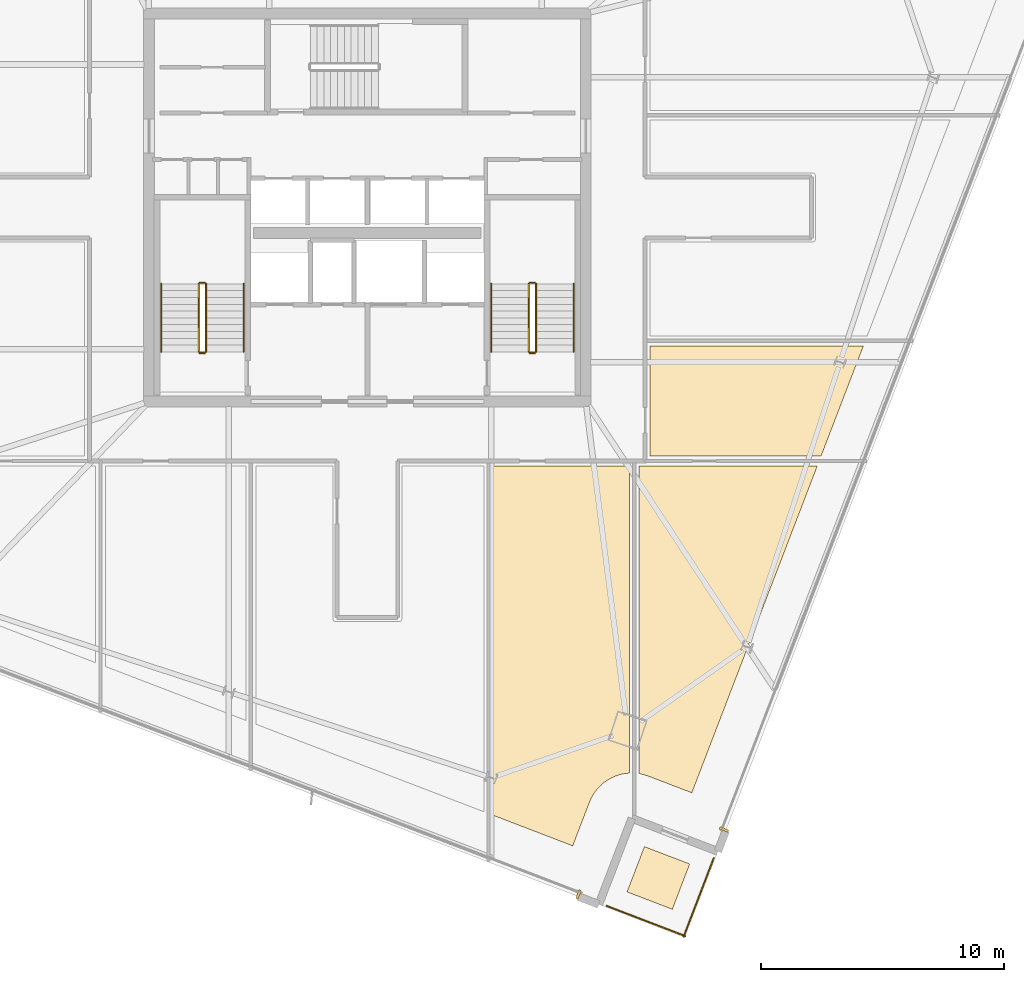
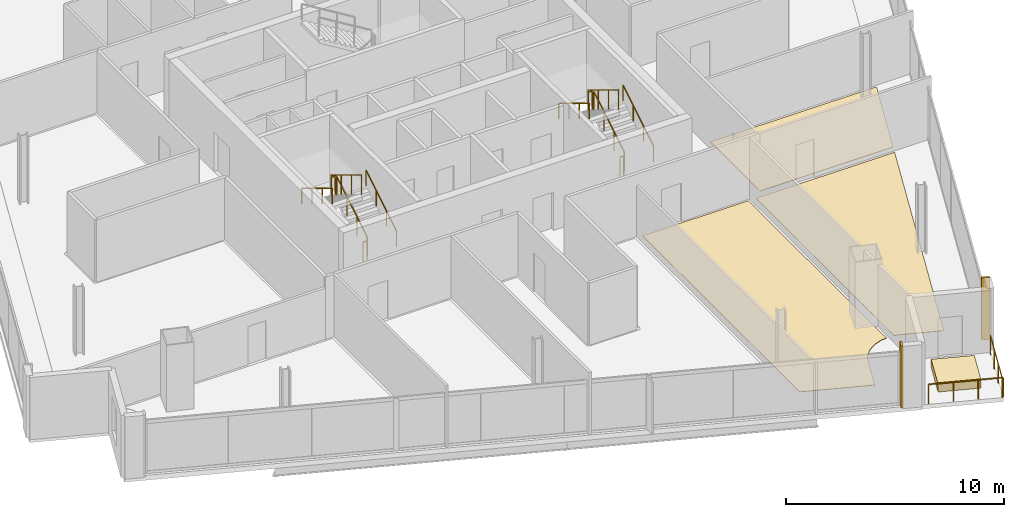
# One storey, part 24 of 27: 14 railings, 6 coverings.
"""IFC4 building model written with IfcOpenShell, lengths in metres."""

from ifc_helpers import new_model, si_unit, direction, frame, origin, origin_2d, place, context, subcontext, project, spatial, polyline, rectangle, outline, extrude, source, transform, mapped, material, layer, layer_set, type_object, element, save


model = new_model("IFC4")

# Units and contexts
model_context = context("Model", 3, precision=1e-05, world=origin(), true_north=direction((0.0, 1.0)))
body_context = subcontext(model_context, "Body", "Model", "MODEL_VIEW")
ifc_project = project(units=[si_unit("LENGTHUNIT", "METRE"), si_unit("AREAUNIT", "SQUARE_METRE"), si_unit("VOLUMEUNIT", "CUBIC_METRE"), si_unit("PLANEANGLEUNIT", "RADIAN"), si_unit("MASSUNIT", "GRAM", prefix="KILO")], contexts=[model_context])

# Site, building, storey
site_placement = place(None, origin())
site = spatial("IfcSite", under=ifc_project, at=site_placement, CompositionType="ELEMENT")
building_placement = place(site_placement, origin())
building = spatial("IfcBuilding", under=site, at=building_placement, Name="Haldenkirk Collegiate Tower", CompositionType="ELEMENT")
storey_placement = place(building_placement, frame((0.0, 0.0, 259.949951171875)))
storey = spatial("IfcBuildingStorey", under=building, at=storey_placement, Name="L65", CompositionType="ELEMENT", Elevation=259.949951171875)

# Coverings
ifc_material_1 = material(Name="Polished collegiate terrazzo", Category="concrete")
ifc_layer_1 = layer(ifc_material_1, 0.02490234375)
ifc_layer_set_1 = layer_set([ifc_layer_1], Name="Polished collegiate terrazzo")
covering_type_1 = type_object("IfcCoveringType", Name="COV-FLOOR-TERRAZZO", PredefinedType="FLOORING", material=ifc_layer_set_1)
covering_1_placement = place(storey_placement, origin())
element("IfcCovering", 1, at=covering_1_placement, inside=storey, type_object=covering_type_1, Name="L65 academic room finish 04", PredefinedType="FLOORING", context=body_context, shape_type="SweptSolid", body=[
    extrude(outline(polyline([(46.800048828125, 2.686767578125), (46.674560546875, 2.677490234375), (46.662841796875, 2.67578125), (46.49365234375, 2.646240234375), (46.482421875, 2.6435546875), (46.31689453125, 2.59765625), (46.3056640625, 2.593994140625), (46.1455078125, 2.53173828125), (46.134765625, 2.527099609375), (45.9814453125, 2.449462890625), (45.97119140625, 2.443603515625), (45.826416015625, 2.3515625), (45.816650390625, 2.3447265625), (45.681396484375, 2.239013671875), (45.672607421875, 2.231201171875), (45.54833984375, 2.112548828125), (45.540283203125, 2.10400390625), (45.42822265625, 1.973876953125), (45.421142578125, 1.964599609375), (45.322509765625, 1.823974609375), (45.316162109375, 1.81396484375), (45.231689453125, 1.66455078125), (45.2265625, 1.654052734375), (45.156982421875, 1.496826171875), (45.15478515625, 1.4912109375), (44.46337890625, -0.310546875), (41.199951171875, 0.942138671875), (41.199951171875, 15.35009765625), (46.800048828125, 15.35009765625), (46.800048828125, 2.686767578125)])), origin(), (0.0, 0.0, 1.0), 0.025146484375),
])
ifc_material_2 = material(Name="Engineered collegiate oak acoustic flooring", Category="wood")
ifc_layer_2 = layer(ifc_material_2, 0.02197265625)
ifc_layer_set_2 = layer_set([ifc_layer_2], Name="Engineered collegiate oak acoustic flooring")
covering_type_2 = type_object("IfcCoveringType", Name="COV-FLOOR-TIMBER", PredefinedType="FLOORING", material=ifc_layer_set_2)
covering_2_placement = place(storey_placement, origin())
element("IfcCovering", 2, at=covering_2_placement, inside=storey, type_object=covering_type_2, Name="L65 academic room finish 05", PredefinedType="FLOORING", context=body_context, shape_type="SweptSolid", body=[
    extrude(outline(polyline([(49.372802734375, 1.875244140625), (47.57080078125, 2.56689453125), (47.565185546875, 2.569091796875), (47.402099609375, 2.62255859375), (47.390869140625, 2.625732421875), (47.22314453125, 2.6630859375), (47.211669921875, 2.6650390625), (47.199951171875, 2.66650390625), (47.199951171875, 15.35009765625), (54.545166015625, 15.35009765625), (49.372802734375, 1.875244140625)])), origin(), (0.0, 0.0, 1.0), 0.02197265625),
])
covering_3_placement = place(storey_placement, origin())
element("IfcCovering", 3, at=covering_3_placement, inside=storey, type_object=covering_type_2, Name="L65 academic room finish 09", PredefinedType="FLOORING", context=body_context, shape_type="SweptSolid", body=[
    extrude(outline(polyline([(54.698486328125, 15.75), (47.64990234375, 15.75), (47.64990234375, 20.300048828125), (56.4453125, 20.300048828125), (54.698486328125, 15.75)])), origin(), (0.0, 0.0, 1.0), 0.02197265625),
])
ifc_material_3 = material(Name="Precast concrete f'c 40 MPa", Category="concrete")
ifc_layer_3 = layer(ifc_material_3, 0.449951171875)
ifc_layer_set_3 = layer_set([ifc_layer_3], Name="Precast concrete f'c 40 MPa")
covering_type_3 = type_object("IfcCoveringType", Name="COV-PLANTER-450", PredefinedType="USERDEFINED", material=ifc_layer_set_3)
covering_4_placement = place(storey_placement, origin())
element("IfcCovering", 4, at=covering_4_placement, inside=storey, type_object=covering_type_3, Name="L65 planted garden planter bed", ObjectType="PLANTER", PredefinedType="USERDEFINED", context=body_context, shape_type="SweptSolid", body=[
    extrude(outline(polyline([(48.56884765625, -2.92529296875), (46.70166015625, -2.208740234375), (47.41845703125, -0.341552734375), (49.285400390625, -1.058349609375), (48.56884765625, -2.92529296875)])), origin(), (0.0, 0.0, 1.0), 0.449951171875),
])

# Railings
ifc_material_4 = material(Name="Painted architectural tubular steel", Category="steel")
railing_type_1 = type_object("IfcRailingType", Name="RLG-STAIR-GUARD-1100", PredefinedType="BALUSTRADE", material=ifc_material_4)
railing_1_placement = place(storey_placement, frame((29.35009765625, 20.050048828125, 0.17041015625)))
element("IfcRailing", 5, at=railing_1_placement, inside=storey, type_object=railing_type_1, Name="L65 ST-1 stair guard 1", PredefinedType="BALUSTRADE", context=body_context, shape_type="SweptSolid", body=[
    extrude(rectangle(XDim=0.048095703125, YDim=0.048095703125, at=origin_2d()), frame((0.0, 0.0, 1.076171875), z_axis=(0.0, 0.854169791009, 0.51999420009), x_axis=(-1.0, 0.0, 0.0)), (0.0, 0.0, 1.0), 3.278076171875),
    extrude(rectangle(XDim=0.0419921875, YDim=0.0419921875, at=origin_2d()), origin(), (0.0, 0.0, 1.0), 1.052001953125),
    extrude(rectangle(XDim=0.0419921875, YDim=0.0419921875, at=origin_2d()), frame((0.0, 0.933349609375, 0.568115234375)), (0.0, 0.0, 1.0), 1.052001953125),
    extrude(rectangle(XDim=0.0419921875, YDim=0.0419921875, at=origin_2d()), frame((0.0, 1.86669921875, 1.136474609375)), (0.0, 0.0, 1.0), 1.052001953125),
    extrude(rectangle(XDim=0.0419921875, YDim=0.0419921875, at=origin_2d()), frame((0.0, 2.800048828125, 1.70458984375)), (0.0, 0.0, 1.0), 1.052001953125),
])
railing_2_placement = place(storey_placement, frame((29.300048828125, 22.89990234375, 1.875)))
element("IfcRailing", 6, at=railing_2_placement, inside=storey, type_object=railing_type_1, Name="L65 ST-1 stair guard 2", PredefinedType="BALUSTRADE", context=body_context, shape_type="SweptSolid", body=[
    extrude(rectangle(XDim=0.048095703125, YDim=0.048095703125, at=origin_2d()), frame((0.0, 0.0, 1.076171875), z_axis=(-1.0, 0.0, 0.0), x_axis=(0.0, -1.0, 0.0)), (0.0, 0.0, 1.0), 0.199951171875),
    extrude(rectangle(XDim=0.0419921875, YDim=0.0419921875, at=origin_2d()), origin(), (0.0, 0.0, 1.0), 1.052001953125),
    extrude(rectangle(XDim=0.0419921875, YDim=0.0419921875, at=origin_2d()), frame((-0.199951171875, 0.0, 0.0)), (0.0, 0.0, 1.0), 1.052001953125),
])
railing_3_placement = place(storey_placement, frame((29.050048828125, 22.85009765625, 2.04541015625)))
element("IfcRailing", 7, at=railing_3_placement, inside=storey, type_object=railing_type_1, Name="L65 ST-1 stair guard 3", PredefinedType="BALUSTRADE", context=body_context, shape_type="SweptSolid", body=[
    extrude(rectangle(XDim=0.048095703125, YDim=0.048095703125, at=origin_2d()), frame((0.0, 0.0, 1.076171875), z_axis=(0.0, -0.854169791009, 0.51999420009), x_axis=(1.0, 0.0, 0.0)), (0.0, 0.0, 1.0), 3.278076171875),
    extrude(rectangle(XDim=0.0419921875, YDim=0.0419921875, at=origin_2d()), origin(), (0.0, 0.0, 1.0), 1.052001953125),
    extrude(rectangle(XDim=0.0419921875, YDim=0.0419921875, at=origin_2d()), frame((0.0, -0.933349609375, 0.568115234375)), (0.0, 0.0, 1.0), 1.052001953125),
    extrude(rectangle(XDim=0.0419921875, YDim=0.0419921875, at=origin_2d()), frame((0.0, -1.86669921875, 1.136474609375)), (0.0, 0.0, 1.0), 1.052001953125),
    extrude(rectangle(XDim=0.0419921875, YDim=0.0419921875, at=origin_2d()), frame((0.0, -2.800048828125, 1.70458984375)), (0.0, 0.0, 1.0), 1.052001953125),
])
railing_4_placement = place(storey_placement, frame((29.300048828125, 20.0, 0.0)))
element("IfcRailing", 8, at=railing_4_placement, inside=storey, type_object=railing_type_1, Name="L65 ST-1 stair guard 4", PredefinedType="BALUSTRADE", context=body_context, shape_type="SweptSolid", body=[
    extrude(rectangle(XDim=0.048095703125, YDim=0.048095703125, at=origin_2d()), frame((0.0, 0.0, 1.076171875), z_axis=(-1.0, 0.0, 0.0), x_axis=(0.0, -1.0, 0.0)), (0.0, 0.0, 1.0), 0.199951171875),
    extrude(rectangle(XDim=0.0419921875, YDim=0.0419921875, at=origin_2d()), origin(), (0.0, 0.0, 1.0), 1.052001953125),
    extrude(rectangle(XDim=0.0419921875, YDim=0.0419921875, at=origin_2d()), frame((-0.199951171875, 0.0, 0.0)), (0.0, 0.0, 1.0), 1.052001953125),
])
railing_5_placement = place(storey_placement, frame((42.949951171875, 20.050048828125, 0.17041015625)))
element("IfcRailing", 9, at=railing_5_placement, inside=storey, type_object=railing_type_1, Name="L65 ST-2 stair guard 1", PredefinedType="BALUSTRADE", context=body_context, shape_type="SweptSolid", body=[
    extrude(rectangle(XDim=0.048095703125, YDim=0.048095703125, at=origin_2d()), frame((0.0, 0.0, 1.076171875), z_axis=(0.0, 0.854169791009, 0.51999420009), x_axis=(-1.0, 0.0, 0.0)), (0.0, 0.0, 1.0), 3.278076171875),
    extrude(rectangle(XDim=0.0419921875, YDim=0.0419921875, at=origin_2d()), origin(), (0.0, 0.0, 1.0), 1.052001953125),
    extrude(rectangle(XDim=0.0419921875, YDim=0.0419921875, at=origin_2d()), frame((0.0, 0.933349609375, 0.568115234375)), (0.0, 0.0, 1.0), 1.052001953125),
    extrude(rectangle(XDim=0.0419921875, YDim=0.0419921875, at=origin_2d()), frame((0.0, 1.86669921875, 1.136474609375)), (0.0, 0.0, 1.0), 1.052001953125),
    extrude(rectangle(XDim=0.0419921875, YDim=0.0419921875, at=origin_2d()), frame((0.0, 2.800048828125, 1.70458984375)), (0.0, 0.0, 1.0), 1.052001953125),
])
railing_6_placement = place(storey_placement, frame((42.89990234375, 22.89990234375, 1.875)))
element("IfcRailing", 10, at=railing_6_placement, inside=storey, type_object=railing_type_1, Name="L65 ST-2 stair guard 2", PredefinedType="BALUSTRADE", context=body_context, shape_type="SweptSolid", body=[
    extrude(rectangle(XDim=0.048095703125, YDim=0.048095703125, at=origin_2d()), frame((0.0, 0.0, 1.076171875), z_axis=(-1.0, 0.0, 0.0), x_axis=(0.0, -1.0, 0.0)), (0.0, 0.0, 1.0), 0.199951171875),
    extrude(rectangle(XDim=0.0419921875, YDim=0.0419921875, at=origin_2d()), origin(), (0.0, 0.0, 1.0), 1.052001953125),
    extrude(rectangle(XDim=0.0419921875, YDim=0.0419921875, at=origin_2d()), frame((-0.199951171875, 0.0, 0.0)), (0.0, 0.0, 1.0), 1.052001953125),
])
railing_7_placement = place(storey_placement, frame((42.64990234375, 22.85009765625, 2.04541015625)))
element("IfcRailing", 11, at=railing_7_placement, inside=storey, type_object=railing_type_1, Name="L65 ST-2 stair guard 3", PredefinedType="BALUSTRADE", context=body_context, shape_type="SweptSolid", body=[
    extrude(rectangle(XDim=0.048095703125, YDim=0.048095703125, at=origin_2d()), frame((0.0, 0.0, 1.076171875), z_axis=(0.0, -0.854169791009, 0.51999420009), x_axis=(1.0, 0.0, 0.0)), (0.0, 0.0, 1.0), 3.278076171875),
    extrude(rectangle(XDim=0.0419921875, YDim=0.0419921875, at=origin_2d()), origin(), (0.0, 0.0, 1.0), 1.052001953125),
    extrude(rectangle(XDim=0.0419921875, YDim=0.0419921875, at=origin_2d()), frame((0.0, -0.933349609375, 0.568115234375)), (0.0, 0.0, 1.0), 1.052001953125),
    extrude(rectangle(XDim=0.0419921875, YDim=0.0419921875, at=origin_2d()), frame((0.0, -1.86669921875, 1.136474609375)), (0.0, 0.0, 1.0), 1.052001953125),
    extrude(rectangle(XDim=0.0419921875, YDim=0.0419921875, at=origin_2d()), frame((0.0, -2.800048828125, 1.70458984375)), (0.0, 0.0, 1.0), 1.052001953125),
])
railing_8_placement = place(storey_placement, frame((42.89990234375, 20.0, 0.0)))
element("IfcRailing", 12, at=railing_8_placement, inside=storey, type_object=railing_type_1, Name="L65 ST-2 stair guard 4", PredefinedType="BALUSTRADE", context=body_context, shape_type="SweptSolid", body=[
    extrude(rectangle(XDim=0.048095703125, YDim=0.048095703125, at=origin_2d()), frame((0.0, 0.0, 1.076171875), z_axis=(-1.0, 0.0, 0.0), x_axis=(0.0, -1.0, 0.0)), (0.0, 0.0, 1.0), 0.199951171875),
    extrude(rectangle(XDim=0.0419921875, YDim=0.0419921875, at=origin_2d()), origin(), (0.0, 0.0, 1.0), 1.052001953125),
    extrude(rectangle(XDim=0.0419921875, YDim=0.0419921875, at=origin_2d()), frame((-0.199951171875, 0.0, 0.0)), (0.0, 0.0, 1.0), 1.052001953125),
])
railing_type_2 = type_object("IfcRailingType", Name="RLG-STAIR-HANDRAIL-900", PredefinedType="HANDRAIL", material=ifc_material_4)
railing_9_placement = place(storey_placement, frame((30.89990234375, 20.050048828125, 0.17041015625)))
element("IfcRailing", 13, at=railing_9_placement, inside=storey, type_object=railing_type_2, Name="L65 ST-1 stair handrail 1", PredefinedType="HANDRAIL", context=body_context, shape_type="SweptSolid", body=[
    extrude(rectangle(XDim=0.048095703125, YDim=0.048095703125, at=origin_2d()), frame((0.0, 0.0, 0.8759765625), z_axis=(0.0, 0.854169791009, 0.51999420009), x_axis=(-1.0, 0.0, 0.0)), (0.0, 0.0, 1.0), 3.278076171875),
    extrude(rectangle(XDim=0.0419921875, YDim=0.0419921875, at=origin_2d()), origin(), (0.0, 0.0, 1.0), 0.851806640625),
    extrude(rectangle(XDim=0.0419921875, YDim=0.0419921875, at=origin_2d()), frame((0.0, 0.933349609375, 0.568115234375)), (0.0, 0.0, 1.0), 0.851806640625),
    extrude(rectangle(XDim=0.0419921875, YDim=0.0419921875, at=origin_2d()), frame((0.0, 1.86669921875, 1.136474609375)), (0.0, 0.0, 1.0), 0.851806640625),
    extrude(rectangle(XDim=0.0419921875, YDim=0.0419921875, at=origin_2d()), frame((0.0, 2.800048828125, 1.70458984375)), (0.0, 0.0, 1.0), 0.851806640625),
])
railing_10_placement = place(storey_placement, frame((27.5, 22.85009765625, 2.04541015625)))
element("IfcRailing", 14, at=railing_10_placement, inside=storey, type_object=railing_type_2, Name="L65 ST-1 stair handrail 2", PredefinedType="HANDRAIL", context=body_context, shape_type="SweptSolid", body=[
    extrude(rectangle(XDim=0.048095703125, YDim=0.048095703125, at=origin_2d()), frame((0.0, 0.0, 0.8759765625), z_axis=(0.0, -0.854169791009, 0.51999420009), x_axis=(1.0, 0.0, 0.0)), (0.0, 0.0, 1.0), 3.278076171875),
    extrude(rectangle(XDim=0.0419921875, YDim=0.0419921875, at=origin_2d()), origin(), (0.0, 0.0, 1.0), 0.851806640625),
    extrude(rectangle(XDim=0.0419921875, YDim=0.0419921875, at=origin_2d()), frame((0.0, -0.933349609375, 0.568115234375)), (0.0, 0.0, 1.0), 0.851806640625),
    extrude(rectangle(XDim=0.0419921875, YDim=0.0419921875, at=origin_2d()), frame((0.0, -1.86669921875, 1.136474609375)), (0.0, 0.0, 1.0), 0.851806640625),
    extrude(rectangle(XDim=0.0419921875, YDim=0.0419921875, at=origin_2d()), frame((0.0, -2.800048828125, 1.70458984375)), (0.0, 0.0, 1.0), 0.851806640625),
])
railing_11_placement = place(storey_placement, frame((44.5, 20.050048828125, 0.17041015625)))
element("IfcRailing", 15, at=railing_11_placement, inside=storey, type_object=railing_type_2, Name="L65 ST-2 stair handrail 1", PredefinedType="HANDRAIL", context=body_context, shape_type="SweptSolid", body=[
    extrude(rectangle(XDim=0.048095703125, YDim=0.048095703125, at=origin_2d()), frame((0.0, 0.0, 0.8759765625), z_axis=(0.0, 0.854169791009, 0.51999420009), x_axis=(-1.0, 0.0, 0.0)), (0.0, 0.0, 1.0), 3.278076171875),
    extrude(rectangle(XDim=0.0419921875, YDim=0.0419921875, at=origin_2d()), origin(), (0.0, 0.0, 1.0), 0.851806640625),
    extrude(rectangle(XDim=0.0419921875, YDim=0.0419921875, at=origin_2d()), frame((0.0, 0.933349609375, 0.568115234375)), (0.0, 0.0, 1.0), 0.851806640625),
    extrude(rectangle(XDim=0.0419921875, YDim=0.0419921875, at=origin_2d()), frame((0.0, 1.86669921875, 1.136474609375)), (0.0, 0.0, 1.0), 0.851806640625),
    extrude(rectangle(XDim=0.0419921875, YDim=0.0419921875, at=origin_2d()), frame((0.0, 2.800048828125, 1.70458984375)), (0.0, 0.0, 1.0), 0.851806640625),
])
railing_12_placement = place(storey_placement, frame((41.10009765625, 22.85009765625, 2.04541015625)))
element("IfcRailing", 16, at=railing_12_placement, inside=storey, type_object=railing_type_2, Name="L65 ST-2 stair handrail 2", PredefinedType="HANDRAIL", context=body_context, shape_type="SweptSolid", body=[
    extrude(rectangle(XDim=0.048095703125, YDim=0.048095703125, at=origin_2d()), frame((0.0, 0.0, 0.8759765625), z_axis=(0.0, -0.854169791009, 0.51999420009), x_axis=(1.0, 0.0, 0.0)), (0.0, 0.0, 1.0), 3.278076171875),
    extrude(rectangle(XDim=0.0419921875, YDim=0.0419921875, at=origin_2d()), origin(), (0.0, 0.0, 1.0), 0.851806640625),
    extrude(rectangle(XDim=0.0419921875, YDim=0.0419921875, at=origin_2d()), frame((0.0, -0.933349609375, 0.568115234375)), (0.0, 0.0, 1.0), 0.851806640625),
    extrude(rectangle(XDim=0.0419921875, YDim=0.0419921875, at=origin_2d()), frame((0.0, -1.86669921875, 1.136474609375)), (0.0, 0.0, 1.0), 0.851806640625),
    extrude(rectangle(XDim=0.0419921875, YDim=0.0419921875, at=origin_2d()), frame((0.0, -2.800048828125, 1.70458984375)), (0.0, 0.0, 1.0), 0.851806640625),
])
ifc_material_5 = material(Name="Anodised architectural bronze aluminium", Category="aluminium")
railing_type_3 = type_object("IfcRailingType", Name="RLG-TERR-BALUSTRADE-1100", PredefinedType="BALUSTRADE", material=ifc_material_5)
railing_13_placement = place(storey_placement, frame((49.030517578125, -4.066650390625, 0.0)))
element("IfcRailing", 17, at=railing_13_placement, inside=storey, type_object=railing_type_3, Name="L65 terrace guard balustrade 1-1", PredefinedType="BALUSTRADE", context=body_context, shape_type="SweptSolid", body=[
    extrude(rectangle(XDim=0.048095703125, YDim=0.048095703125, at=origin_2d()), frame((0.0, 0.0, 1.076171875), z_axis=(0.358363136394, 0.933582274079, 0.0), x_axis=(-0.933582274079, 0.358363136394, 0.0)), (0.0, 0.0, 1.0), 3.47998046875),
    extrude(rectangle(XDim=0.0419921875, YDim=0.0419921875, at=origin_2d()), origin(), (0.0, 0.0, 1.0), 1.052001953125),
    extrude(rectangle(XDim=0.0419921875, YDim=0.0419921875, at=origin_2d()), frame((0.415771484375, 1.0830078125, 0.0)), (0.0, 0.0, 1.0), 1.052001953125),
    extrude(rectangle(XDim=0.0419921875, YDim=0.0419921875, at=origin_2d()), frame((0.831298828125, 2.165771484375, 0.0)), (0.0, 0.0, 1.0), 1.052001953125),
    extrude(rectangle(XDim=0.0419921875, YDim=0.0419921875, at=origin_2d()), frame((1.2470703125, 3.248779296875, 0.0)), (0.0, 0.0, 1.0), 1.052001953125),
])
railing_14_placement = place(storey_placement, frame((45.859130859375, -2.78515625, 0.0)))
element("IfcRailing", 18, at=railing_14_placement, inside=storey, type_object=railing_type_3, Name="L65 terrace guard balustrade 4-1", PredefinedType="BALUSTRADE", context=body_context, shape_type="SweptSolid", body=[
    extrude(rectangle(XDim=0.048095703125, YDim=0.048095703125, at=origin_2d()), frame((0.0, 0.0, 1.076171875), z_axis=(0.933582274079, -0.358363136394, 0.0), x_axis=(0.358363136394, 0.933582274079, 0.0)), (0.0, 0.0, 1.0), 3.47998046875),
    extrude(rectangle(XDim=0.0419921875, YDim=0.0419921875, at=origin_2d()), origin(), (0.0, 0.0, 1.0), 1.052001953125),
    extrude(rectangle(XDim=0.0419921875, YDim=0.0419921875, at=origin_2d()), frame((1.0830078125, -0.415771484375, 0.0)), (0.0, 0.0, 1.0), 1.052001953125),
    extrude(rectangle(XDim=0.0419921875, YDim=0.0419921875, at=origin_2d()), frame((2.165771484375, -0.831298828125, 0.0)), (0.0, 0.0, 1.0), 1.052001953125),
    extrude(rectangle(XDim=0.0419921875, YDim=0.0419921875, at=origin_2d()), frame((3.248779296875, -1.2470703125, 0.0)), (0.0, 0.0, 1.0), 1.052001953125),
])

# Coverings
ifc_layer_4 = layer(ifc_material_5, 0.06005859375)
ifc_layer_set_4 = layer_set([ifc_layer_4], Name="Anodised architectural bronze aluminium")
covering_type_4 = type_object("IfcCoveringType", Name="COV-CLAD-BRONZE-60", PredefinedType="CLADDING", material=ifc_layer_set_4)
shared_shape = source(origin(), body_context, "Body", "SweptSolid", [
    extrude(rectangle(XDim=0.10009765625, YDim=0.3798828125, at=origin_2d()), origin(), (0.0, 0.0, 1.0), 3.47998046875),
])
for number, where, z_axis, x_axis, name in (
    (19, (50.697509765625, 0.35986328125, 0.0), (0.0, 0.0, 1.0), (-0.358367949545, -0.933580426497, 0.0), "L65 recessed curtain-wall bronze jamb closure SJR"),
    (20, (44.702880859375, -2.30908203125, 0.0), (0.0, 0.0, 1.0), (-0.933580426497, 0.358367949545, 0.0), "L65 recessed curtain-wall bronze jamb closure WJL"),
):
    element("IfcCovering", number, at=place(storey_placement, frame(where, z_axis=z_axis, x_axis=x_axis)), inside=storey, type_object=covering_type_4, Name=name, PredefinedType="CLADDING", context=body_context, shape_type="MappedRepresentation", body=[
        mapped(shared_shape, transform((0.0, 0.0, 0.0), x_axis=(1.0, 0.0, 0.0), y_axis=(0.0, 1.0, 0.0), z_axis=(0.0, 0.0, 1.0), scale=1.0)),
    ])

save(model, "model.ifc")
